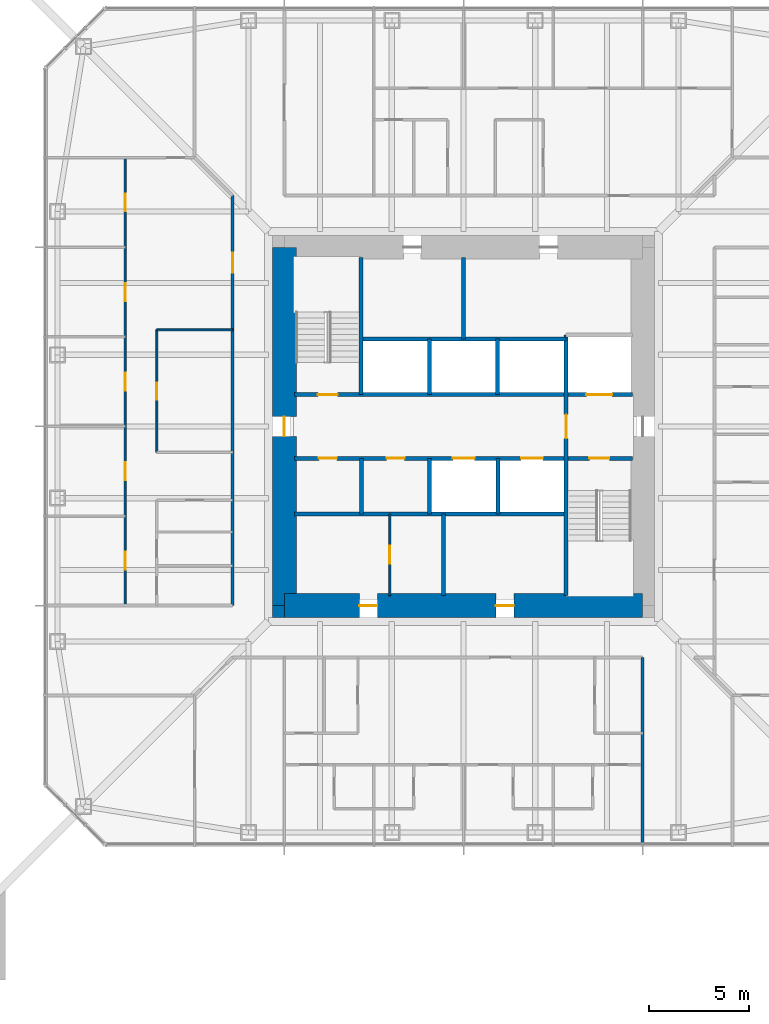
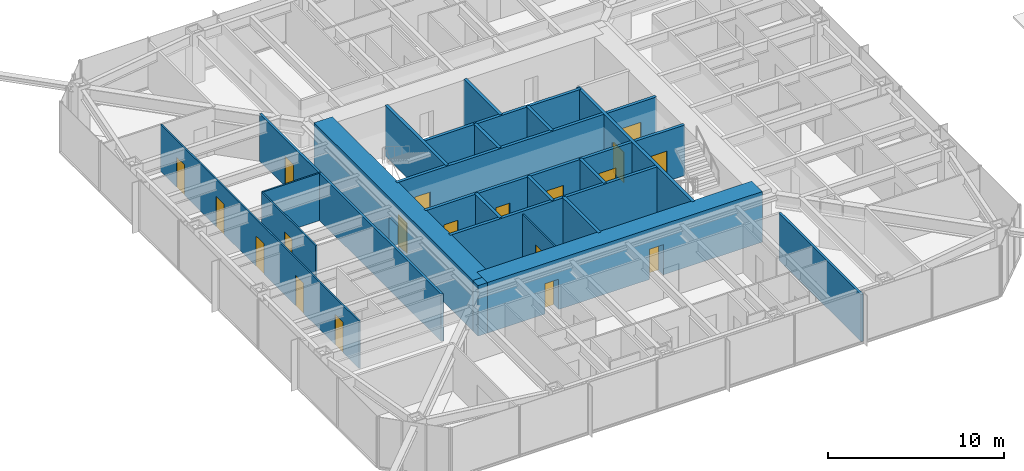
# One storey, part 14 of 25: 22 walls, 19 doors, 19 openings.
"""IFC4 building model written with IfcOpenShell, lengths in metres."""

from ifc_helpers import new_model, si_unit, direction, frame, frame_2d, origin, place, context, subcontext, project, spatial, rectangle, extrude, material, layer, layer_set, type_object, element, fill, save


model = new_model("IFC4")

# Units and contexts
model_context = context("Model", 3, precision=1e-05, world=origin(), true_north=direction((0.0, 1.0)))
body_context = subcontext(model_context, "Body", "Model", "MODEL_VIEW")
ifc_project = project(units=[si_unit("LENGTHUNIT", "METRE"), si_unit("AREAUNIT", "SQUARE_METRE"), si_unit("VOLUMEUNIT", "CUBIC_METRE"), si_unit("PLANEANGLEUNIT", "RADIAN"), si_unit("MASSUNIT", "GRAM", prefix="KILO")], contexts=[model_context])

# Site, building, storey
site_placement = place(None, origin())
site = spatial("IfcSite", under=ifc_project, at=site_placement, CompositionType="ELEMENT")
building_placement = place(site_placement, origin())
building = spatial("IfcBuilding", under=site, at=building_placement, Name="Iwan Alto Co-Living Towers", CompositionType="ELEMENT")
storey_placement = place(building_placement, frame((0.0, 0.0, 101.5)))
storey = spatial("IfcBuildingStorey", under=building, at=storey_placement, Name="L27", CompositionType="ELEMENT", Elevation=101.5)

# Wall
ifc_material_1 = material(Name="Gypsum board")
ifc_layer_1 = layer(ifc_material_1, 0.02490234375, Name="Board", Category="Finish")
ifc_material_2 = material(Name="Steel ASTM A1003 ST33H cold-formed studs", Category="steel")
ifc_layer_2 = layer(ifc_material_2, 0.10009765625, Name="Studs", Category="Framing")
ifc_layer_3 = layer(ifc_material_1, 0.02490234375, Name="Board", Category="Finish")
ifc_layer_set_1 = layer_set([ifc_layer_1, ifc_layer_2, ifc_layer_3], Name="CORRIDOR WALL 150")
wall_type_1 = type_object("IfcWallType", Name="CORRIDOR WALL 150", PredefinedType="PARTITIONING", material=ifc_layer_set_1)
wall_1_placement = place(storey_placement, frame((9.0, -20.93994140625, 0.0), z_axis=(0.0, 0.0, 1.0), x_axis=(0.0, 1.0, 0.0)))
element("IfcWall", 1, at=wall_1_placement, inside=storey, type_object=wall_type_1, Name="Partition L27", PredefinedType="PARTITIONING", context=body_context, shape_type="SweptSolid", body=[
    extrude(rectangle(XDim=9.33984375, YDim=0.14990234375, at=frame_2d((4.669921875, 0.0))), origin(), (0.0, 0.0, 1.0), 3.27001953125),
])

# Wall, opening, door
wall_2_placement = place(storey_placement, frame((-11.60009765625, -9.0, 0.0), z_axis=(0.0, 0.0, 1.0), x_axis=(0.0, 1.0, 0.0)))
wall_2 = element("IfcWall", 2, at=wall_2_placement, inside=storey, type_object=wall_type_1, Name="Partition L27", PredefinedType="PARTITIONING", context=body_context, shape_type="SweptSolid", body=[
    extrude(rectangle(XDim=20.60009765625, YDim=0.14990234375, at=frame_2d((10.300048828125, 0.0))), origin(), (0.0, 0.0, 1.0), 3.27001953125),
])
opening_1_placement = place(wall_2_placement, frame((16.72509765625, 0.0, 0.0)))
opening_1 = element("IfcOpeningElement", 3, at=opening_1_placement, cuts=wall_2, Name="Opening D3", PredefinedType="OPENING", context=body_context, shape_type="SweptSolid", body=[
    extrude(rectangle(XDim=1.0, YDim=2.10009765625, at=frame_2d((0.5, 1.050048828125))), frame((0.0, 0.0849609375, 0.0), z_axis=(0.0, -1.0, 0.0), x_axis=(1.0, 0.0, 0.0)), (0.0, 0.0, 1.0), 0.169921875),
])
ifc_material_3 = material(Name="Steel frame with timber leaf", Category="steel")
door_type_1 = type_object("IfcDoorType", Name="FLAT ENTRANCE DOOR FD30S 1000X2100", OperationType="SINGLE_SWING_LEFT", PredefinedType="DOOR", material=ifc_material_3)
door_1_placement = place(opening_1_placement, origin())
door_1 = element("IfcDoor", 4, at=door_1_placement, inside=storey, type_object=door_type_1, Name="Cluster lounge door L27", OperationType="SINGLE_SWING_LEFT", OverallHeight=2.10009765625, OverallWidth=1.0, PredefinedType="DOOR", context=body_context, shape_type="SweptSolid", body=[
    extrude(rectangle(XDim=1.0, YDim=2.10009765625, at=frame_2d((0.5, 1.050048828125))), frame((0.0, 0.02490234375, 0.0), z_axis=(0.0, -1.0, 0.0), x_axis=(1.0, 0.0, 0.0)), (0.0, 0.0, 1.0), 0.050048828125),
])
fill(opening_1, door_1)

# Wall
ifc_layer_4 = layer(ifc_material_1, 0.012451171875, Name="Board", Category="Finish")
ifc_layer_5 = layer(ifc_material_2, 0.074951171875, Name="Studs", Category="Framing")
ifc_layer_6 = layer(ifc_material_1, 0.012451171875, Name="Board", Category="Finish")
ifc_layer_set_2 = layer_set([ifc_layer_4, ifc_layer_5, ifc_layer_6], Name="PARTITION 100")
wall_type_2 = type_object("IfcWallType", Name="PARTITION 100", PredefinedType="PARTITIONING", material=ifc_layer_set_2)
wall_3_placement = place(storey_placement, frame((-15.39990234375, 4.85009765625, 0.0), z_axis=(0.0, 0.0, 1.0), x_axis=(1.0, 0.0, 0.0)))
element("IfcWall", 5, at=wall_3_placement, inside=storey, type_object=wall_type_2, Name="Partition L27", PredefinedType="PARTITIONING", context=body_context, shape_type="SweptSolid", body=[
    extrude(rectangle(XDim=3.7998046875, YDim=0.10009765625, at=frame_2d((1.89990234375, 0.0))), origin(), (0.0, 0.0, 1.0), 3.27001953125),
])

# Wall, opening, door
wall_4_placement = place(storey_placement, frame((-3.699951171875, -8.489990234375, 0.0), z_axis=(0.0, 0.0, 1.0), x_axis=(0.0, 1.0, 0.0)))
wall_4 = element("IfcWall", 6, at=wall_4_placement, inside=storey, type_object=wall_type_2, Name="Partition L27", PredefinedType="PARTITIONING", context=body_context, shape_type="SweptSolid", body=[
    extrude(rectangle(XDim=4.090087890625, YDim=0.10009765625, at=frame_2d((2.044921875, 0.0))), origin(), (0.0, 0.0, 1.0), 3.300048828125),
])
opening_2_placement = place(wall_4_placement, frame((1.594970703125, 0.0, 0.0)))
opening_2 = element("IfcOpeningElement", 7, at=opening_2_placement, cuts=wall_4, Name="Opening D16", PredefinedType="OPENING", context=body_context, shape_type="SweptSolid", body=[
    extrude(rectangle(XDim=0.89990234375, YDim=2.10009765625, at=frame_2d((0.449951171875, 1.050048828125))), frame((0.0, 0.06005859375, 0.0), z_axis=(0.0, -1.0, 0.0), x_axis=(1.0, 0.0, 0.0)), (0.0, 0.0, 1.0), 0.1201171875),
])
ifc_material_4 = material(Name="Timber leaf in steel frame", Category="steel")
door_type_2 = type_object("IfcDoorType", Name="CUPBOARD SLIDING DOOR 900X2100", OperationType="SLIDING_TO_LEFT", PredefinedType="DOOR", material=ifc_material_4)
door_2_placement = place(opening_2_placement, origin())
door_2 = element("IfcDoor", 8, at=door_2_placement, inside=storey, type_object=door_type_2, Name="Bulky waste store door L27", OperationType="SLIDING_TO_LEFT", OverallHeight=2.10009765625, OverallWidth=0.89990234375, PredefinedType="DOOR", context=body_context, shape_type="SweptSolid", body=[
    extrude(rectangle(XDim=0.89990234375, YDim=2.10009765625, at=frame_2d((0.449951171875, 1.050048828125))), frame((0.0, 0.02490234375, 0.0), z_axis=(0.0, -1.0, 0.0), x_axis=(1.0, 0.0, 0.0)), (0.0, 0.0, 1.0), 0.050048828125),
])
fill(opening_2, door_2)

wall_5_placement = place(storey_placement, frame((-15.39990234375, -1.300048828125, 0.0), z_axis=(0.0, 0.0, 1.0), x_axis=(0.0, 1.0, 0.0)))
wall_5 = element("IfcWall", 9, at=wall_5_placement, inside=storey, type_object=wall_type_2, Name="Partition L27", PredefinedType="PARTITIONING", context=body_context, shape_type="SweptSolid", body=[
    extrude(rectangle(XDim=6.150146484375, YDim=0.10009765625, at=frame_2d((3.0751953125, 0.0))), origin(), (0.0, 0.0, 1.0), 3.27001953125),
])
opening_3_placement = place(wall_5_placement, frame((2.64990234375, 0.0, 0.0)))
opening_3 = element("IfcOpeningElement", 10, at=opening_3_placement, cuts=wall_5, Name="Opening D2", PredefinedType="OPENING", context=body_context, shape_type="SweptSolid", body=[
    extrude(rectangle(XDim=0.85009765625, YDim=2.10009765625, at=frame_2d((0.425048828125, 1.050048828125))), frame((0.0, 0.06005859375, 0.0), z_axis=(0.0, -1.0, 0.0), x_axis=(1.0, 0.0, 0.0)), (0.0, 0.0, 1.0), 0.1201171875),
])
ifc_material_5 = material(Name="Timber leaf in steel frame", Category="steel")
door_type_3 = type_object("IfcDoorType", Name="ROOM DOOR 850X2100", OperationType="SINGLE_SWING_LEFT", PredefinedType="DOOR", material=ifc_material_5)
door_3_placement = place(opening_3_placement, origin())
door_3 = element("IfcDoor", 11, at=door_3_placement, inside=storey, type_object=door_type_3, Name="Study room door L27", OperationType="SINGLE_SWING_LEFT", OverallHeight=2.10009765625, OverallWidth=0.85009765625, PredefinedType="DOOR", context=body_context, shape_type="SweptSolid", body=[
    extrude(rectangle(XDim=0.85009765625, YDim=2.10009765625, at=frame_2d((0.425048828125, 1.050048828125))), frame((0.0, 0.02490234375, 0.0), z_axis=(0.0, -1.0, 0.0), x_axis=(1.0, 0.0, 0.0)), (0.0, 0.0, 1.0), 0.050048828125),
])
fill(opening_3, door_3)

# Wall, openings, doors
wall_6_placement = place(storey_placement, frame((-17.0, -9.0, 0.0), z_axis=(0.0, 0.0, 1.0), x_axis=(0.0, 1.0, 0.0)))
wall_6 = element("IfcWall", 12, at=wall_6_placement, inside=storey, type_object=wall_type_2, Name="Partition L27", PredefinedType="PARTITIONING", context=body_context, shape_type="SweptSolid", body=[
    extrude(rectangle(XDim=22.5, YDim=0.10009765625, at=frame_2d((11.25, 0.0))), origin(), (0.0, 0.0, 1.0), 3.27001953125),
])
opening_4_placement = place(wall_6_placement, frame((19.800048828125, 0.0, 0.0)))
opening_4 = element("IfcOpeningElement", 13, at=opening_4_placement, cuts=wall_6, Name="Opening D1", PredefinedType="OPENING", context=body_context, shape_type="SweptSolid", body=[
    extrude(rectangle(XDim=0.89990234375, YDim=2.10009765625, at=frame_2d((0.449951171875, 1.050048828125))), frame((0.0, 0.06005859375, 0.0), z_axis=(0.0, -1.0, 0.0), x_axis=(1.0, 0.0, 0.0)), (0.0, 0.0, 1.0), 0.1201171875),
])
opening_5_placement = place(wall_6_placement, frame((15.300048828125, 0.0, 0.0)))
opening_5 = element("IfcOpeningElement", 14, at=opening_5_placement, cuts=wall_6, Name="Opening D1", PredefinedType="OPENING", context=body_context, shape_type="SweptSolid", body=[
    extrude(rectangle(XDim=0.89990234375, YDim=2.10009765625, at=frame_2d((0.449951171875, 1.050048828125))), frame((0.0, 0.06005859375, 0.0), z_axis=(0.0, -1.0, 0.0), x_axis=(1.0, 0.0, 0.0)), (0.0, 0.0, 1.0), 0.1201171875),
])
opening_6_placement = place(wall_6_placement, frame((10.800048828125, 0.0, 0.0)))
opening_6 = element("IfcOpeningElement", 15, at=opening_6_placement, cuts=wall_6, Name="Opening D1", PredefinedType="OPENING", context=body_context, shape_type="SweptSolid", body=[
    extrude(rectangle(XDim=0.89990234375, YDim=2.10009765625, at=frame_2d((0.449951171875, 1.050048828125))), frame((0.0, 0.06005859375, 0.0), z_axis=(0.0, -1.0, 0.0), x_axis=(1.0, 0.0, 0.0)), (0.0, 0.0, 1.0), 0.1201171875),
])
opening_7_placement = place(wall_6_placement, frame((6.300048828125, 0.0, 0.0)))
opening_7 = element("IfcOpeningElement", 16, at=opening_7_placement, cuts=wall_6, Name="Opening D1", PredefinedType="OPENING", context=body_context, shape_type="SweptSolid", body=[
    extrude(rectangle(XDim=0.89990234375, YDim=2.10009765625, at=frame_2d((0.449951171875, 1.050048828125))), frame((0.0, 0.06005859375, 0.0), z_axis=(0.0, -1.0, 0.0), x_axis=(1.0, 0.0, 0.0)), (0.0, 0.0, 1.0), 0.1201171875),
])
opening_8_placement = place(wall_6_placement, frame((1.800048828125, 0.0, 0.0)))
opening_8 = element("IfcOpeningElement", 17, at=opening_8_placement, cuts=wall_6, Name="Opening D1", PredefinedType="OPENING", context=body_context, shape_type="SweptSolid", body=[
    extrude(rectangle(XDim=0.89990234375, YDim=2.10009765625, at=frame_2d((0.449951171875, 1.050048828125))), frame((0.0, 0.06005859375, 0.0), z_axis=(0.0, -1.0, 0.0), x_axis=(1.0, 0.0, 0.0)), (0.0, 0.0, 1.0), 0.1201171875),
])
ifc_material_6 = material(Name="Timber leaf in steel frame", Category="steel")
door_type_4 = type_object("IfcDoorType", Name="BEDROOM DOOR 900X2100", OperationType="SINGLE_SWING_LEFT", PredefinedType="DOOR", material=ifc_material_6)
door_4_placement = place(opening_4_placement, frame((0.89990234375, 0.0, 0.0), z_axis=(0.0, 0.0, 1.0), x_axis=(-1.0, 0.0, 0.0)))
door_4 = element("IfcDoor", 18, at=door_4_placement, inside=storey, type_object=door_type_4, Name="Study bedroom door L27", OperationType="SINGLE_SWING_LEFT", OverallHeight=2.10009765625, OverallWidth=0.89990234375, PredefinedType="DOOR", context=body_context, shape_type="SweptSolid", body=[
    extrude(rectangle(XDim=0.89990234375, YDim=2.10009765625, at=frame_2d((0.449951171875, 1.050048828125))), frame((0.0, 0.02490234375, 0.0), z_axis=(0.0, -1.0, 0.0), x_axis=(1.0, 0.0, 0.0)), (0.0, 0.0, 1.0), 0.050048828125),
])
fill(opening_4, door_4)
door_5_placement = place(opening_5_placement, frame((0.89990234375, 0.0, 0.0), z_axis=(0.0, 0.0, 1.0), x_axis=(-1.0, 0.0, 0.0)))
door_5 = element("IfcDoor", 19, at=door_5_placement, inside=storey, type_object=door_type_4, Name="Study bedroom door L27", OperationType="SINGLE_SWING_LEFT", OverallHeight=2.10009765625, OverallWidth=0.89990234375, PredefinedType="DOOR", context=body_context, shape_type="SweptSolid", body=[
    extrude(rectangle(XDim=0.89990234375, YDim=2.10009765625, at=frame_2d((0.449951171875, 1.050048828125))), frame((0.0, 0.02490234375, 0.0), z_axis=(0.0, -1.0, 0.0), x_axis=(1.0, 0.0, 0.0)), (0.0, 0.0, 1.0), 0.050048828125),
])
fill(opening_5, door_5)
door_6_placement = place(opening_6_placement, frame((0.89990234375, 0.0, 0.0), z_axis=(0.0, 0.0, 1.0), x_axis=(-1.0, 0.0, 0.0)))
door_6 = element("IfcDoor", 20, at=door_6_placement, inside=storey, type_object=door_type_4, Name="Study bedroom door L27", OperationType="SINGLE_SWING_RIGHT", OverallHeight=2.10009765625, OverallWidth=0.89990234375, PredefinedType="DOOR", context=body_context, shape_type="SweptSolid", body=[
    extrude(rectangle(XDim=0.89990234375, YDim=2.10009765625, at=frame_2d((0.449951171875, 1.050048828125))), frame((0.0, 0.02490234375, 0.0), z_axis=(0.0, -1.0, 0.0), x_axis=(1.0, 0.0, 0.0)), (0.0, 0.0, 1.0), 0.050048828125),
])
fill(opening_6, door_6)
door_7_placement = place(opening_7_placement, frame((0.89990234375, 0.0, 0.0), z_axis=(0.0, 0.0, 1.0), x_axis=(-1.0, 0.0, 0.0)))
door_7 = element("IfcDoor", 21, at=door_7_placement, inside=storey, type_object=door_type_4, Name="Study bedroom door L27", OperationType="SINGLE_SWING_RIGHT", OverallHeight=2.10009765625, OverallWidth=0.89990234375, PredefinedType="DOOR", context=body_context, shape_type="SweptSolid", body=[
    extrude(rectangle(XDim=0.89990234375, YDim=2.10009765625, at=frame_2d((0.449951171875, 1.050048828125))), frame((0.0, 0.02490234375, 0.0), z_axis=(0.0, -1.0, 0.0), x_axis=(1.0, 0.0, 0.0)), (0.0, 0.0, 1.0), 0.050048828125),
])
fill(opening_7, door_7)
door_8_placement = place(opening_8_placement, frame((0.89990234375, 0.0, 0.0), z_axis=(0.0, 0.0, 1.0), x_axis=(-1.0, 0.0, 0.0)))
door_8 = element("IfcDoor", 22, at=door_8_placement, inside=storey, type_object=door_type_4, Name="Study bedroom door L27", OperationType="SINGLE_SWING_RIGHT", OverallHeight=2.10009765625, OverallWidth=0.89990234375, PredefinedType="DOOR", context=body_context, shape_type="SweptSolid", body=[
    extrude(rectangle(XDim=0.89990234375, YDim=2.10009765625, at=frame_2d((0.449951171875, 1.050048828125))), frame((0.0, 0.02490234375, 0.0), z_axis=(0.0, -1.0, 0.0), x_axis=(1.0, 0.0, 0.0)), (0.0, 0.0, 1.0), 0.050048828125),
])
fill(opening_8, door_8)

# Wall
ifc_material_7 = material(Name="Concrete f'c 70 MPa", Category="concrete")
ifc_layer_7 = layer(ifc_material_7, 0.199951171875)
ifc_layer_set_3 = layer_set([ifc_layer_7], Name="SHAFT WALL 200")
wall_type_3 = type_object("IfcWallType", Name="SHAFT WALL 200", PredefinedType="SOLIDWALL", material=ifc_layer_set_3)
wall_7_placement = place(storey_placement, frame((-8.489990234375, -4.39990234375, 0.0), z_axis=(0.0, 0.0, 1.0), x_axis=(1.0, 0.0, 0.0)))
element("IfcWall", 23, at=wall_7_placement, inside=storey, type_object=wall_type_3, Name="Shaft wall L27", PredefinedType="SOLIDWALL", context=body_context, shape_type="SweptSolid", body=[
    extrude(rectangle(XDim=13.639892578125, YDim=0.199951171875, at=frame_2d((6.81982421875, 0.0))), origin(), (0.0, 0.0, 1.0), 3.5),
])

# Wall, openings, doors
wall_8_placement = place(storey_placement, frame((-8.489990234375, -1.60009765625, 0.0), z_axis=(0.0, 0.0, 1.0), x_axis=(1.0, 0.0, 0.0)))
wall_8 = element("IfcWall", 24, at=wall_8_placement, inside=storey, type_object=wall_type_3, Name="Shaft wall L27", PredefinedType="SOLIDWALL", context=body_context, shape_type="SweptSolid", body=[
    extrude(rectangle(XDim=16.97998046875, YDim=0.199951171875, at=frame_2d((8.489990234375, 0.0))), origin(), (0.0, 0.0, 1.0), 3.5),
])
opening_9_placement = place(wall_8_placement, frame((14.81005859375, 0.0, 0.0)))
opening_9 = element("IfcOpeningElement", 25, at=opening_9_placement, cuts=wall_8, Name="Opening D5", PredefinedType="OPENING", context=body_context, shape_type="SweptSolid", body=[
    extrude(rectangle(XDim=1.0, YDim=2.10009765625, at=frame_2d((0.5, 1.050048828125))), frame((0.0, 0.10986328125, 0.0), z_axis=(0.0, -1.0, 0.0), x_axis=(1.0, 0.0, 0.0)), (0.0, 0.0, 1.0), 0.219970703125),
])
opening_10_placement = place(wall_8_placement, frame((1.23193359375, 0.0, 0.0)))
opening_10 = element("IfcOpeningElement", 26, at=opening_10_placement, cuts=wall_8, Name="Opening D15", PredefinedType="OPENING", context=body_context, shape_type="SweptSolid", body=[
    extrude(rectangle(XDim=0.89990234375, YDim=2.10009765625, at=frame_2d((0.449951171875, 1.050048828125))), frame((0.0, 0.10986328125, 0.0), z_axis=(0.0, -1.0, 0.0), x_axis=(1.0, 0.0, 0.0)), (0.0, 0.0, 1.0), 0.219970703125),
])
opening_11_placement = place(wall_8_placement, frame((4.626953125, 0.0, 0.0)))
opening_11 = element("IfcOpeningElement", 27, at=opening_11_placement, cuts=wall_8, Name="Opening D15", PredefinedType="OPENING", context=body_context, shape_type="SweptSolid", body=[
    extrude(rectangle(XDim=0.89990234375, YDim=2.10009765625, at=frame_2d((0.449951171875, 1.050048828125))), frame((0.0, 0.10986328125, 0.0), z_axis=(0.0, -1.0, 0.0), x_axis=(1.0, 0.0, 0.0)), (0.0, 0.0, 1.0), 0.219970703125),
])
opening_12_placement = place(wall_8_placement, frame((7.952880859375, 0.0, 0.0)))
opening_12 = element("IfcOpeningElement", 28, at=opening_12_placement, cuts=wall_8, Name="Opening LD", PredefinedType="OPENING", context=body_context, shape_type="SweptSolid", body=[
    extrude(rectangle(XDim=1.10009765625, YDim=2.10009765625, at=frame_2d((0.550048828125, 1.050048828125))), frame((0.0, 0.10986328125, 0.0), z_axis=(0.0, -1.0, 0.0), x_axis=(1.0, 0.0, 0.0)), (0.0, 0.0, 1.0), 0.219970703125),
])
opening_13_placement = place(wall_8_placement, frame((11.3779296875, 0.0, 0.0)))
opening_13 = element("IfcOpeningElement", 29, at=opening_13_placement, cuts=wall_8, Name="Opening LD", PredefinedType="OPENING", context=body_context, shape_type="SweptSolid", body=[
    extrude(rectangle(XDim=1.10009765625, YDim=2.10009765625, at=frame_2d((0.550048828125, 1.050048828125))), frame((0.0, 0.10986328125, 0.0), z_axis=(0.0, -1.0, 0.0), x_axis=(1.0, 0.0, 0.0)), (0.0, 0.0, 1.0), 0.219970703125),
])
ifc_material_8 = material(Name="Steel frame with timber leaf", Category="steel")
door_type_5 = type_object("IfcDoorType", Name="CORE ROOM DOOR FD60S 900X2100", OperationType="SINGLE_SWING_LEFT", PredefinedType="DOOR", material=ifc_material_8)
door_9_placement = place(opening_10_placement, frame((0.89990234375, 0.0, 0.0), z_axis=(0.0, 0.0, 1.0), x_axis=(-1.0, 0.0, 0.0)))
door_9 = element("IfcDoor", 30, at=door_9_placement, inside=storey, type_object=door_type_5, Name="Housekeeping store door L27", OperationType="SINGLE_SWING_LEFT", OverallHeight=2.10009765625, OverallWidth=0.89990234375, PredefinedType="DOOR", context=body_context, shape_type="SweptSolid", body=[
    extrude(rectangle(XDim=0.89990234375, YDim=2.10009765625, at=frame_2d((0.449951171875, 1.050048828125))), frame((0.0, 0.02490234375, 0.0), z_axis=(0.0, -1.0, 0.0), x_axis=(1.0, 0.0, 0.0)), (0.0, 0.0, 1.0), 0.050048828125),
])
fill(opening_10, door_9)
door_10_placement = place(opening_11_placement, frame((0.89990234375, 0.0, 0.0), z_axis=(0.0, 0.0, 1.0), x_axis=(-1.0, 0.0, 0.0)))
door_10 = element("IfcDoor", 31, at=door_10_placement, inside=storey, type_object=door_type_5, Name="Linen store door L27", OperationType="SINGLE_SWING_RIGHT", OverallHeight=2.10009765625, OverallWidth=0.89990234375, PredefinedType="DOOR", context=body_context, shape_type="SweptSolid", body=[
    extrude(rectangle(XDim=0.89990234375, YDim=2.10009765625, at=frame_2d((0.449951171875, 1.050048828125))), frame((0.0, 0.02490234375, 0.0), z_axis=(0.0, -1.0, 0.0), x_axis=(1.0, 0.0, 0.0)), (0.0, 0.0, 1.0), 0.050048828125),
])
fill(opening_11, door_10)
ifc_material_9 = material(Name="Steel frame with timber leaf", Category="steel")
door_type_6 = type_object("IfcDoorType", Name="LIFT LANDING DOOR 1100X2100", OperationType="DOUBLE_DOOR_SLIDING", PredefinedType="DOOR", material=ifc_material_9)
door_11_placement = place(opening_12_placement, origin())
door_11 = element("IfcDoor", 32, at=door_11_placement, inside=storey, type_object=door_type_6, Name="Lift P2-3 landing door L27", OperationType="DOUBLE_DOOR_SLIDING", OverallHeight=2.10009765625, OverallWidth=1.10009765625, PredefinedType="DOOR", context=body_context, shape_type="SweptSolid", body=[
    extrude(rectangle(XDim=1.10009765625, YDim=2.10009765625, at=frame_2d((0.550048828125, 1.050048828125))), frame((0.0, 0.02490234375, 0.0), z_axis=(0.0, -1.0, 0.0), x_axis=(1.0, 0.0, 0.0)), (0.0, 0.0, 1.0), 0.050048828125),
])
fill(opening_12, door_11)
door_12_placement = place(opening_13_placement, origin())
door_12 = element("IfcDoor", 33, at=door_12_placement, inside=storey, type_object=door_type_6, Name="Lift P2-4 landing door L27", OperationType="DOUBLE_DOOR_SLIDING", OverallHeight=2.10009765625, OverallWidth=1.10009765625, PredefinedType="DOOR", context=body_context, shape_type="SweptSolid", body=[
    extrude(rectangle(XDim=1.10009765625, YDim=2.10009765625, at=frame_2d((0.550048828125, 1.050048828125))), frame((0.0, 0.02490234375, 0.0), z_axis=(0.0, -1.0, 0.0), x_axis=(1.0, 0.0, 0.0)), (0.0, 0.0, 1.0), 0.050048828125),
])
fill(opening_13, door_12)
ifc_material_10 = material(Name="Steel frame with timber leaf", Category="steel")
door_type_7 = type_object("IfcDoorType", Name="STAIR DOOR FD120S 1000X2100", OperationType="SINGLE_SWING_LEFT", PredefinedType="DOOR", material=ifc_material_10)
door_13_placement = place(opening_9_placement, frame((1.0, 0.0, 0.0), z_axis=(0.0, 0.0, 1.0), x_axis=(-1.0, 0.0, 0.0)))
door_13 = element("IfcDoor", 34, at=door_13_placement, inside=storey, type_object=door_type_7, Name="Stair S2 door L27", OperationType="SINGLE_SWING_RIGHT", OverallHeight=2.10009765625, OverallWidth=1.0, PredefinedType="DOOR", context=body_context, shape_type="SweptSolid", body=[
    extrude(rectangle(XDim=1.0, YDim=2.10009765625, at=frame_2d((0.5, 1.050048828125))), frame((0.0, 0.02490234375, 0.0), z_axis=(0.0, -1.0, 0.0), x_axis=(1.0, 0.0, 0.0)), (0.0, 0.0, 1.0), 0.050048828125),
])
fill(opening_9, door_13)

wall_9_placement = place(storey_placement, frame((-8.489990234375, 1.60009765625, 0.0), z_axis=(0.0, 0.0, 1.0), x_axis=(1.0, 0.0, 0.0)))
wall_9 = element("IfcWall", 35, at=wall_9_placement, inside=storey, type_object=wall_type_3, Name="Shaft wall L27", PredefinedType="SOLIDWALL", context=body_context, shape_type="SweptSolid", body=[
    extrude(rectangle(XDim=16.97998046875, YDim=0.199951171875, at=frame_2d((8.489990234375, 0.0))), origin(), (0.0, 0.0, 1.0), 3.5),
])
opening_14_placement = place(wall_9_placement, frame((1.169921875, 0.0, 0.0)))
opening_14 = element("IfcOpeningElement", 36, at=opening_14_placement, cuts=wall_9, Name="Opening D5", PredefinedType="OPENING", context=body_context, shape_type="SweptSolid", body=[
    extrude(rectangle(XDim=1.0, YDim=2.10009765625, at=frame_2d((0.5, 1.050048828125))), frame((0.0, 0.10986328125, 0.0), z_axis=(0.0, -1.0, 0.0), x_axis=(1.0, 0.0, 0.0)), (0.0, 0.0, 1.0), 0.219970703125),
])
opening_15_placement = place(wall_9_placement, frame((14.659912109375, 0.0, 0.0)))
opening_15 = element("IfcOpeningElement", 37, at=opening_15_placement, cuts=wall_9, Name="Opening LD2", PredefinedType="OPENING", context=body_context, shape_type="SweptSolid", body=[
    extrude(rectangle(XDim=1.300048828125, YDim=2.10009765625, at=frame_2d((0.64990234375, 1.050048828125))), frame((0.0, 0.10986328125, 0.0), z_axis=(0.0, -1.0, 0.0), x_axis=(1.0, 0.0, 0.0)), (0.0, 0.0, 1.0), 0.219970703125),
])
ifc_material_11 = material(Name="Steel frame with timber leaf", Category="steel")
door_type_8 = type_object("IfcDoorType", Name="LIFT LANDING DOOR 1300X2100", OperationType="SLIDING_TO_LEFT", PredefinedType="DOOR", material=ifc_material_11)
door_14_placement = place(opening_15_placement, origin())
door_14 = element("IfcDoor", 38, at=door_14_placement, inside=storey, type_object=door_type_8, Name="Lift FL1 landing door L27", OperationType="SLIDING_TO_LEFT", OverallHeight=2.10009765625, OverallWidth=1.300048828125, PredefinedType="DOOR", context=body_context, shape_type="SweptSolid", body=[
    extrude(rectangle(XDim=1.300048828125, YDim=2.10009765625, at=frame_2d((0.64990234375, 1.050048828125))), frame((0.0, 0.02490234375, 0.0), z_axis=(0.0, -1.0, 0.0), x_axis=(1.0, 0.0, 0.0)), (0.0, 0.0, 1.0), 0.050048828125),
])
fill(opening_15, door_14)
door_15_placement = place(opening_14_placement, origin())
door_15 = element("IfcDoor", 39, at=door_15_placement, inside=storey, type_object=door_type_7, Name="Stair S1 door L27", OperationType="SINGLE_SWING_RIGHT", OverallHeight=2.10009765625, OverallWidth=1.0, PredefinedType="DOOR", context=body_context, shape_type="SweptSolid", body=[
    extrude(rectangle(XDim=1.0, YDim=2.10009765625, at=frame_2d((0.5, 1.050048828125))), frame((0.0, 0.02490234375, 0.0), z_axis=(0.0, -1.0, 0.0), x_axis=(1.0, 0.0, 0.0)), (0.0, 0.0, 1.0), 0.050048828125),
])
fill(opening_14, door_15)

# Wall
wall_10_placement = place(storey_placement, frame((-5.14990234375, 4.39990234375, 0.0), z_axis=(0.0, 0.0, 1.0), x_axis=(1.0, 0.0, 0.0)))
element("IfcWall", 40, at=wall_10_placement, inside=storey, type_object=wall_type_3, Name="Shaft wall L27", PredefinedType="SOLIDWALL", context=body_context, shape_type="SweptSolid", body=[
    extrude(rectangle(XDim=10.2998046875, YDim=0.199951171875, at=frame_2d((5.14990234375, 0.0))), origin(), (0.0, 0.0, 1.0), 3.5),
])

# Wall, opening, door
wall_11_placement = place(storey_placement, frame((5.14990234375, -8.489990234375, 0.0), z_axis=(0.0, 0.0, 1.0), x_axis=(0.0, 1.0, 0.0)))
wall_11 = element("IfcWall", 41, at=wall_11_placement, inside=storey, type_object=wall_type_3, Name="Shaft wall L27", PredefinedType="SOLIDWALL", context=body_context, shape_type="SweptSolid", body=[
    extrude(rectangle(XDim=13.090087890625, YDim=0.199951171875, at=frame_2d((6.544921875, 0.0))), origin(), (0.0, 0.0, 1.0), 3.5),
])
opening_16_placement = place(wall_11_placement, frame((7.889892578125, 0.0, 0.0)))
opening_16 = element("IfcOpeningElement", 42, at=opening_16_placement, cuts=wall_11, Name="Opening D6", PredefinedType="OPENING", context=body_context, shape_type="SweptSolid", body=[
    extrude(rectangle(XDim=1.199951171875, YDim=2.10009765625, at=frame_2d((0.60009765625, 1.050048828125))), frame((0.0, 0.10986328125, 0.0), z_axis=(0.0, -1.0, 0.0), x_axis=(1.0, 0.0, 0.0)), (0.0, 0.0, 1.0), 0.219970703125),
])
ifc_material_12 = material(Name="Steel frame with timber leaf", Category="steel")
door_type_9 = type_object("IfcDoorType", Name="LOBBY DOOR FD120S 1200X2100", OperationType="SINGLE_SWING_LEFT", PredefinedType="DOOR", material=ifc_material_12)
door_16_placement = place(opening_16_placement, frame((1.199951171875, 0.0, 0.0), z_axis=(0.0, 0.0, 1.0), x_axis=(-1.0, 0.0, 0.0)))
door_16 = element("IfcDoor", 43, at=door_16_placement, inside=storey, type_object=door_type_9, Name="Firefighting lobby door L27", OperationType="SINGLE_SWING_RIGHT", OverallHeight=2.10009765625, OverallWidth=1.199951171875, PredefinedType="DOOR", context=body_context, shape_type="SweptSolid", body=[
    extrude(rectangle(XDim=1.199951171875, YDim=2.10009765625, at=frame_2d((0.60009765625, 1.050048828125))), frame((0.0, 0.02490234375, 0.0), z_axis=(0.0, -1.0, 0.0), x_axis=(1.0, 0.0, 0.0)), (0.0, 0.0, 1.0), 0.050048828125),
])
fill(opening_16, door_16)

# Walls
for number, where, z_axis, x_axis, name in (
    (44, (1.72509765625, -4.39990234375, 0.0), (0.0, 0.0, 1.0), (0.0, 1.0, 0.0), "Shaft wall L27"),
    (45, (1.717041015625, 1.60009765625, 0.0), (0.0, 0.0, 1.0), (0.0, 1.0, 0.0), "Shaft wall L27"),
):
    element("IfcWall", number, at=place(storey_placement, frame(where, z_axis=z_axis, x_axis=x_axis)), inside=storey, type_object=wall_type_3, Name=name, PredefinedType="SOLIDWALL", context=body_context, shape_type="SweptSolid", body=[
        extrude(rectangle(XDim=2.7998046875, YDim=0.199951171875, at=frame_2d((1.39990234375, 0.0))), origin(), (0.0, 0.0, 1.0), 3.5),
    ])
for number, where, z_axis, x_axis, name in (
    (46, (0.0, 4.39990234375, 0.0), (0.0, 0.0, 1.0), (0.0, 1.0, 0.0), "Shaft wall L27"),
    (47, (-1.0, -8.489990234375, 0.0), (0.0, 0.0, 1.0), (0.0, 1.0, 0.0), "Shaft wall L27"),
):
    element("IfcWall", number, at=place(storey_placement, frame(where, z_axis=z_axis, x_axis=x_axis)), inside=storey, type_object=wall_type_3, Name=name, PredefinedType="SOLIDWALL", context=body_context, shape_type="SweptSolid", body=[
        extrude(rectangle(XDim=4.090087890625, YDim=0.199951171875, at=frame_2d((2.044921875, 0.0))), origin(), (0.0, 0.0, 1.0), 3.5),
    ])
for number, where, z_axis, x_axis, name in (
    (48, (-1.699951171875, -4.39990234375, 0.0), (0.0, 0.0, 1.0), (0.0, 1.0, 0.0), "Shaft wall L27"),
    (49, (-1.717041015625, 1.60009765625, 0.0), (0.0, 0.0, 1.0), (0.0, 1.0, 0.0), "Shaft wall L27"),
    (50, (-5.125, -4.39990234375, 0.0), (0.0, 0.0, 1.0), (0.0, 1.0, 0.0), "Shaft wall L27"),
):
    element("IfcWall", number, at=place(storey_placement, frame(where, z_axis=z_axis, x_axis=x_axis)), inside=storey, type_object=wall_type_3, Name=name, PredefinedType="SOLIDWALL", context=body_context, shape_type="SweptSolid", body=[
        extrude(rectangle(XDim=2.7998046875, YDim=0.199951171875, at=frame_2d((1.39990234375, 0.0))), origin(), (0.0, 0.0, 1.0), 3.5),
    ])
wall_12_placement = place(storey_placement, frame((-5.14990234375, 1.60009765625, 0.0), z_axis=(0.0, 0.0, 1.0), x_axis=(0.0, 1.0, 0.0)))
element("IfcWall", 51, at=wall_12_placement, inside=storey, type_object=wall_type_3, Name="Shaft wall L27", PredefinedType="SOLIDWALL", context=body_context, shape_type="SweptSolid", body=[
    extrude(rectangle(XDim=6.889892578125, YDim=0.199951171875, at=frame_2d((3.44482421875, 0.0))), origin(), (0.0, 0.0, 1.0), 3.5),
])
ifc_material_13 = material(Name="Concrete f'c 70 MPa", Category="concrete")
ifc_layer_8 = layer(ifc_material_13, 0.60009765625)
ifc_layer_set_4 = layer_set([ifc_layer_8], Name="T1 CORE CORNER FILL 600")
wall_type_4 = type_object("IfcWallType", Name="T1 CORE CORNER FILL 600", PredefinedType="SOLIDWALL", material=ifc_layer_set_4)
wall_13_placement = place(storey_placement, frame((-9.60009765625, -9.300048828125, 0.0), z_axis=(0.0, 0.0, 1.0), x_axis=(1.0, 0.0, 0.0)))
element("IfcWall", 52, at=wall_13_placement, inside=storey, type_object=wall_type_4, Name="T1 core corner SW L27", PredefinedType="SOLIDWALL", context=body_context, shape_type="SweptSolid", body=[
    extrude(rectangle(XDim=0.60009765625, YDim=0.60009765625, at=frame_2d((0.300048828125, 0.0))), origin(), (0.0, 0.0, 1.0), 3.5),
])

# Wall, openings, doors
ifc_material_14 = material(Name="Concrete f'c 70 MPa", Category="concrete")
ifc_layer_9 = layer(ifc_material_14, 1.199951171875)
ifc_layer_set_5 = layer_set([ifc_layer_9], Name="T1 CORE WALL 1200")
wall_type_5 = type_object("IfcWallType", Name="T1 CORE WALL 1200", PredefinedType="SHEAR", material=ifc_layer_set_5)
wall_14_placement = place(storey_placement, frame((-9.0, -9.0, 0.0), z_axis=(0.0, 0.0, 1.0), x_axis=(1.0, 0.0, 0.0)))
wall_14 = element("IfcWall", 53, at=wall_14_placement, inside=storey, type_object=wall_type_5, Name="T1 core wall S L27", PredefinedType="SHEAR", context=body_context, shape_type="SweptSolid", body=[
    extrude(rectangle(XDim=18.0, YDim=1.199951171875, at=frame_2d((9.0, 0.0))), origin(), (0.0, 0.0, 1.0), 3.5),
])
opening_17_placement = place(wall_14_placement, frame((3.77490234375, 0.0, 0.0)))
opening_17 = element("IfcOpeningElement", 54, at=opening_17_placement, cuts=wall_14, Name="Opening D8", PredefinedType="OPENING", context=body_context, shape_type="SweptSolid", body=[
    extrude(rectangle(XDim=0.89990234375, YDim=2.10009765625, at=frame_2d((0.449951171875, 1.050048828125))), frame((0.0, 0.60986328125, 0.0), z_axis=(0.0, -1.0, 0.0), x_axis=(1.0, 0.0, 0.0)), (0.0, 0.0, 1.0), 1.219970703125),
])
opening_18_placement = place(wall_14_placement, frame((10.625, 0.0, 0.0)))
opening_18 = element("IfcOpeningElement", 55, at=opening_18_placement, cuts=wall_14, Name="Opening D8", PredefinedType="OPENING", context=body_context, shape_type="SweptSolid", body=[
    extrude(rectangle(XDim=0.89990234375, YDim=2.10009765625, at=frame_2d((0.449951171875, 1.050048828125))), frame((0.0, 0.60986328125, 0.0), z_axis=(0.0, -1.0, 0.0), x_axis=(1.0, 0.0, 0.0)), (0.0, 0.0, 1.0), 1.219970703125),
])
ifc_material_15 = material(Name="Steel frame with timber leaf", Category="steel")
door_type_10 = type_object("IfcDoorType", Name="RISER DOOR FD120 900X2100", OperationType="SINGLE_SWING_LEFT", PredefinedType="DOOR", material=ifc_material_15)
door_17_placement = place(opening_17_placement, origin())
door_17 = element("IfcDoor", 56, at=door_17_placement, inside=storey, type_object=door_type_10, Name="Refuse room core door L27", OperationType="SINGLE_SWING_RIGHT", OverallHeight=2.10009765625, OverallWidth=0.89990234375, PredefinedType="DOOR", context=body_context, shape_type="SweptSolid", body=[
    extrude(rectangle(XDim=0.89990234375, YDim=2.10009765625, at=frame_2d((0.449951171875, 1.050048828125))), frame((0.0, 0.02490234375, 0.0), z_axis=(0.0, -1.0, 0.0), x_axis=(1.0, 0.0, 0.0)), (0.0, 0.0, 1.0), 0.050048828125),
])
fill(opening_17, door_17)
door_18_placement = place(opening_18_placement, origin())
door_18 = element("IfcDoor", 57, at=door_18_placement, inside=storey, type_object=door_type_10, Name="Telecom riser core door L27", OperationType="SINGLE_SWING_LEFT", OverallHeight=2.10009765625, OverallWidth=0.89990234375, PredefinedType="DOOR", context=body_context, shape_type="SweptSolid", body=[
    extrude(rectangle(XDim=0.89990234375, YDim=2.10009765625, at=frame_2d((0.449951171875, 1.050048828125))), frame((0.0, 0.02490234375, 0.0), z_axis=(0.0, -1.0, 0.0), x_axis=(1.0, 0.0, 0.0)), (0.0, 0.0, 1.0), 0.050048828125),
])
fill(opening_18, door_18)

# Wall, opening, door
wall_15_placement = place(storey_placement, frame((-9.0, 9.0, 0.0), z_axis=(0.0, 0.0, 1.0), x_axis=(0.0, -1.0, 0.0)))
wall_15 = element("IfcWall", 58, at=wall_15_placement, inside=storey, type_object=wall_type_5, Name="T1 core wall W L27", PredefinedType="SHEAR", context=body_context, shape_type="SweptSolid", body=[
    extrude(rectangle(XDim=18.0, YDim=1.199951171875, at=frame_2d((9.0, 0.0))), origin(), (0.0, 0.0, 1.0), 3.5),
])
opening_19_placement = place(wall_15_placement, frame((8.5, 0.0, 0.0)))
opening_19 = element("IfcOpeningElement", 59, at=opening_19_placement, cuts=wall_15, Name="Opening D7", PredefinedType="OPENING", context=body_context, shape_type="SweptSolid", body=[
    extrude(rectangle(XDim=1.0, YDim=2.10009765625, at=frame_2d((0.5, 1.050048828125))), frame((0.0, 0.60986328125, 0.0), z_axis=(0.0, -1.0, 0.0), x_axis=(1.0, 0.0, 0.0)), (0.0, 0.0, 1.0), 1.219970703125),
])
ifc_material_16 = material(Name="Steel frame with timber leaf", Category="steel")
door_type_11 = type_object("IfcDoorType", Name="CORE DOOR FD120S 1000X2100", OperationType="SINGLE_SWING_LEFT", PredefinedType="DOOR", material=ifc_material_16)
door_19_placement = place(opening_19_placement, origin())
door_19 = element("IfcDoor", 60, at=door_19_placement, inside=storey, type_object=door_type_11, Name="Lift lobby core door L27", OperationType="SINGLE_SWING_RIGHT", OverallHeight=2.10009765625, OverallWidth=1.0, PredefinedType="DOOR", context=body_context, shape_type="SweptSolid", body=[
    extrude(rectangle(XDim=1.0, YDim=2.10009765625, at=frame_2d((0.5, 1.050048828125))), frame((0.0, 0.02490234375, 0.0), z_axis=(0.0, -1.0, 0.0), x_axis=(1.0, 0.0, 0.0)), (0.0, 0.0, 1.0), 0.050048828125),
])
fill(opening_19, door_19)

save(model, "model.ifc")
